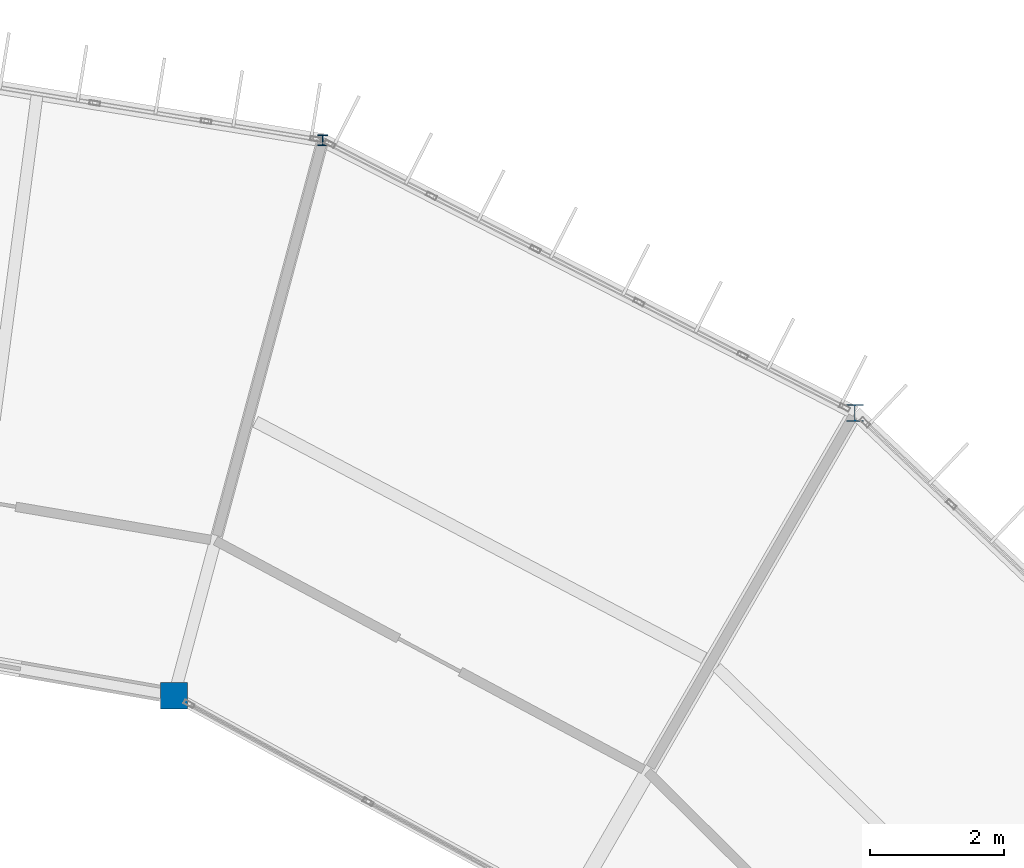
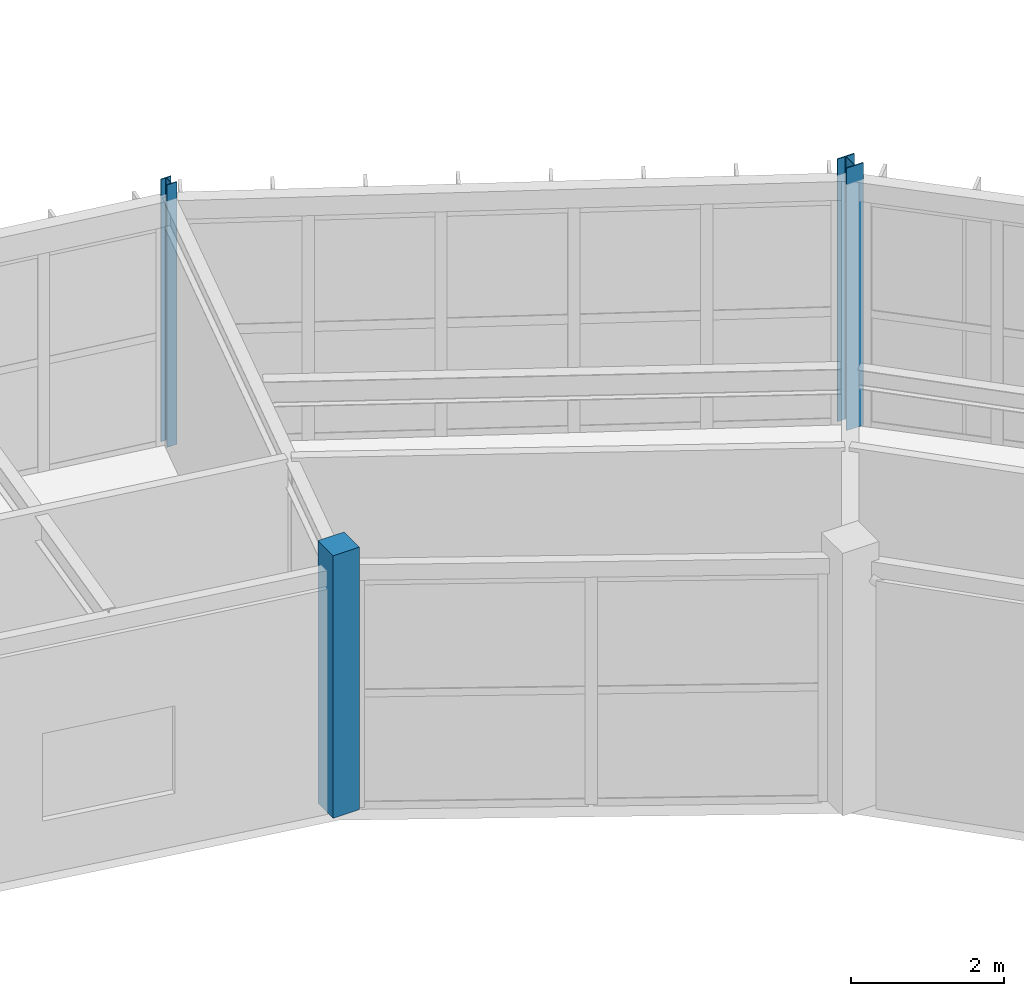
# One storey, part 14 of 106: 3 columns.
"""IFC4 building model written with IfcOpenShell, lengths in metres."""

from ifc_helpers import new_model, si_unit, direction, frame, origin, origin_2d, place, context, subcontext, project, spatial, rectangle, i_section, extrude, material, material_profile, profile_set, type_object, element, save


model = new_model("IFC4")

# Units and contexts
model_context = context("Model", 3, precision=1e-05, world=origin(), true_north=direction((0.0, 1.0)))
body_context = subcontext(model_context, "Body", "Model", "MODEL_VIEW")
ifc_project = project(units=[si_unit("LENGTHUNIT", "METRE"), si_unit("AREAUNIT", "SQUARE_METRE"), si_unit("VOLUMEUNIT", "CUBIC_METRE"), si_unit("PLANEANGLEUNIT", "RADIAN"), si_unit("MASSUNIT", "GRAM", prefix="KILO")], contexts=[model_context])

# Site, building, storey
site_placement = place(None, origin())
site = spatial("IfcSite", under=ifc_project, at=site_placement, CompositionType="ELEMENT")
building_placement = place(site_placement, origin())
building = spatial("IfcBuilding", under=site, at=building_placement, Name="Karori Crest Natural Sciences Institute", CompositionType="ELEMENT")
storey_placement = place(building_placement, frame((0.0, 0.0, 25.89990234375)))
storey = spatial("IfcBuildingStorey", under=building, at=storey_placement, Name="L06", CompositionType="ELEMENT", Elevation=25.89990234375)

# Columns
ifc_material_1 = material(Name="Structural steel AS/NZS 3679.1 Grade 350", Category="steel")
ifc_material_profile_1 = material_profile(ifc_material_1, i_section(OverallWidth=0.25390625, OverallDepth=0.25390625, WebThickness=0.008544921875, FlangeThickness=0.01416015625, FilletRadius=0.013916015625, at=origin_2d()), Name="250UC72.9")
ifc_profile_set_1 = profile_set([ifc_material_profile_1], Name="Structural steel AS/NZS 3679.1 Grade 350")
column_type_1 = type_object("IfcColumnType", Name="CT-07", PredefinedType="COLUMN", material=ifc_profile_set_1)
column_1_placement = place(storey_placement, frame((82.89990234375, 85.23388671875, 0.0), z_axis=(0.0, 0.0, 1.0), x_axis=(1.0, 0.0, 0.0)))
element("IfcColumn", 1, at=column_1_placement, inside=storey, type_object=column_type_1, Name="Column C-0087", PredefinedType="COLUMN", context=body_context, shape_type="SweptSolid", body=[
    extrude(i_section(OverallWidth=0.25390625, OverallDepth=0.25390625, WebThickness=0.008544921875, FlangeThickness=0.01416015625, FilletRadius=0.013916015625, at=origin_2d()), origin(), (0.0, 0.0, 1.0), 4.2001953125),
])
ifc_material_profile_2 = material_profile(ifc_material_1, i_section(OverallWidth=0.154052734375, OverallDepth=0.162109375, WebThickness=0.008056640625, FlangeThickness=0.011474609375, FilletRadius=0.009033203125, at=origin_2d()), Name="150UC37.2")
ifc_profile_set_2 = profile_set([ifc_material_profile_2], Name="Structural steel AS/NZS 3679.1 Grade 350")
column_type_2 = type_object("IfcColumnType", Name="CT-26", PredefinedType="COLUMN", material=ifc_profile_set_2)
column_2_placement = place(storey_placement, frame((74.94091796875, 89.309814453125, 0.0), z_axis=(0.0, 0.0, 1.0), x_axis=(1.0, 0.0, 0.0)))
element("IfcColumn", 2, at=column_2_placement, inside=storey, type_object=column_type_2, Name="Column C-0105", PredefinedType="COLUMN", context=body_context, shape_type="SweptSolid", body=[
    extrude(i_section(OverallWidth=0.154052734375, OverallDepth=0.162109375, WebThickness=0.008056640625, FlangeThickness=0.011474609375, FilletRadius=0.009033203125, at=origin_2d()), origin(), (0.0, 0.0, 1.0), 4.2001953125),
])
ifc_material_2 = material(Name="Concrete 50 MPa", Category="concrete")
ifc_material_profile_3 = material_profile(ifc_material_2, rectangle(XDim=0.39990234375, YDim=0.39990234375, at=origin_2d()), Name="RC400x400")
ifc_profile_set_3 = profile_set([ifc_material_profile_3], Name="Concrete 50 MPa")
column_type_3 = type_object("IfcColumnType", Name="CT-31", PredefinedType="PILASTER", material=ifc_profile_set_3)
column_3_placement = place(storey_placement, frame((72.715087890625, 81.002685546875, 0.0), z_axis=(0.0, 0.0, 1.0), x_axis=(1.0, 0.0, 0.0)))
element("IfcColumn", 3, at=column_3_placement, inside=storey, type_object=column_type_3, Name="Column C-0106", PredefinedType="PILASTER", context=body_context, shape_type="SweptSolid", body=[
    extrude(rectangle(XDim=0.39990234375, YDim=0.39990234375, at=origin_2d()), origin(), (0.0, 0.0, 1.0), 4.2001953125),
])

save(model, "model.ifc")
